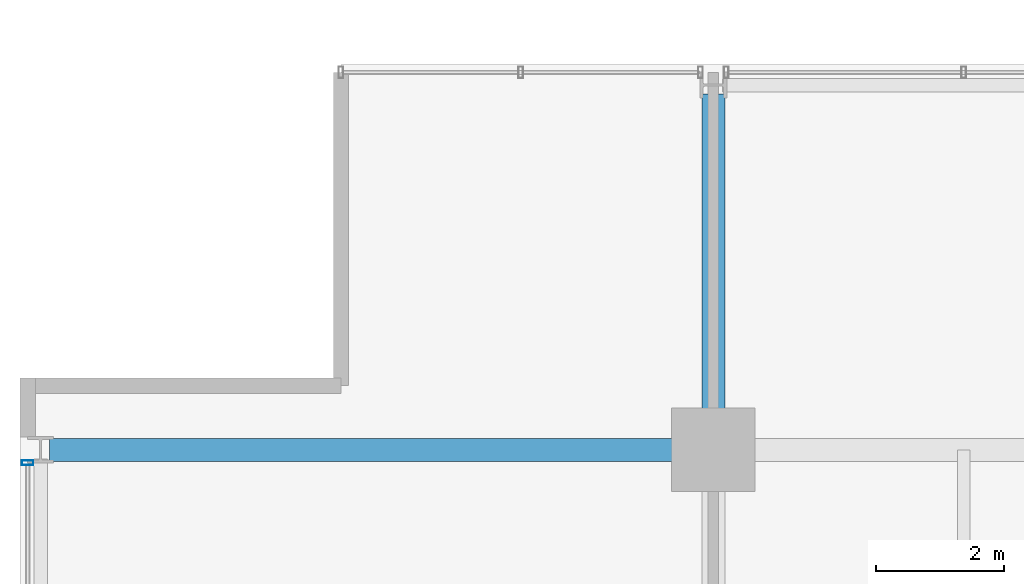
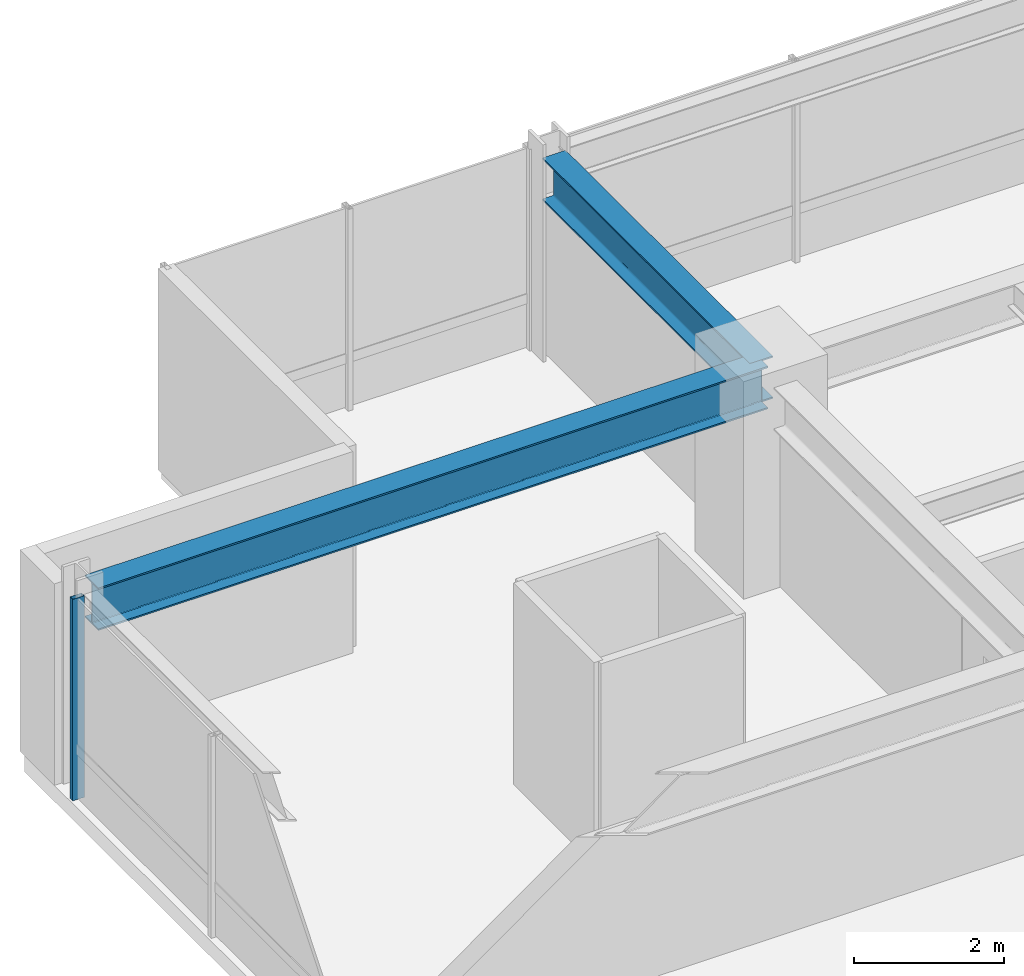
# One storey, part 19 of 33: 2 beams, 1 member, 1 element without a shape of its own.
"""IFC4 building model written with IfcOpenShell, lengths in metres."""

from ifc_helpers import new_model, si_unit, direction, frame, origin, origin_2d, place, context, subcontext, project, spatial, hollow_rectangle, i_section, extrude, material, layer, layer_set, material_profile, profile_set, type_object, element, aggregate, save


model = new_model("IFC4")

# Units and contexts
model_context = context("Model", 3, precision=1e-05, world=origin(), true_north=direction((0.0, 1.0)))
body_context = subcontext(model_context, "Body", "Model", "MODEL_VIEW")
ifc_project = project(units=[si_unit("LENGTHUNIT", "METRE"), si_unit("AREAUNIT", "SQUARE_METRE"), si_unit("VOLUMEUNIT", "CUBIC_METRE"), si_unit("PLANEANGLEUNIT", "RADIAN"), si_unit("MASSUNIT", "GRAM", prefix="KILO")], contexts=[model_context])

# Site, building, storey
site_placement = place(None, origin())
site = spatial("IfcSite", under=ifc_project, at=site_placement, CompositionType="ELEMENT")
building_placement = place(site_placement, origin())
building = spatial("IfcBuilding", under=site, at=building_placement, Name="Drelvath Grand Hotel", CompositionType="ELEMENT")
storey_placement = place(building_placement, frame((0.0, 0.0, 171.699951171875)))
storey = spatial("IfcBuildingStorey", under=building, at=storey_placement, Name="L44", CompositionType="ELEMENT", Elevation=171.699951171875)

# Curtain wall, member
ifc_material_1 = material(Name="Brushed Pale-Silver Anodised Aluminium Frame", Category="aluminium")
ifc_layer = layer(ifc_material_1, 0.199951171875)
ifc_layer_set = layer_set([ifc_layer], Name="Brushed Pale-Silver Anodised Aluminium Frame")
curtain_wall_type = type_object("IfcCurtainWallType", Name="Stick Curtain Wall CW-04 Brushed Silver Upper-Mid", PredefinedType="NOTDEFINED", material=ifc_layer_set)
curtain_wall_placement = place(storey_placement, origin())
curtain_wall = element("IfcCurtainWall", 1, at=curtain_wall_placement, inside=storey, type_object=curtain_wall_type, Name="L44 CW-04 Curtain Wall CW04-L44-WN2", PredefinedType="NOTDEFINED")
ifc_material_profile_1 = material_profile(ifc_material_1, hollow_rectangle(XDim=0.074951171875, YDim=0.179931640625, WallThickness=0.0048828125, at=origin_2d()), Name="HSS180X75X5")
ifc_profile_set_1 = profile_set([ifc_material_profile_1], Name="Brushed Pale-Silver Anodised Aluminium Frame")
member_type = type_object("IfcMemberType", Name="Curtain Wall Vertical Mullion CW-04 HSS180X75X5", PredefinedType="MULLION", material=ifc_profile_set_1)
member_placement = place(storey_placement, frame((-26.8798828125, 43.0, 0.0), z_axis=(0.0, 0.0, 1.0), x_axis=(0.0, 1.0, 0.0)))
member = element("IfcMember", 2, at=member_placement, type_object=member_type, Name="CW04-L44-WN2 Mullion 3", PredefinedType="MULLION", context=body_context, shape_type="SweptSolid", body=[
    extrude(hollow_rectangle(XDim=0.074951171875, YDim=0.179931640625, WallThickness=0.0048828125, at=origin_2d()), origin(), (0.0, 0.0, 1.0), 3.2900390625),
])
aggregate(curtain_wall, [member])

# Beams
ifc_material_2 = material(Name="Steel ASTM A992 Gr 50", Category="steel")
ifc_material_profile_2 = material_profile(ifc_material_2, i_section(OverallWidth=0.354736328125, OverallDepth=0.695556640625, WebThickness=0.015380859375, FlangeThickness=0.025146484375, FilletRadius=0.02392578125, at=origin_2d()), Name="W27X146")
ifc_profile_set_2 = profile_set([ifc_material_profile_2], Name="Steel ASTM A992 Gr 50")
beam_type = type_object("IfcBeamType", Name="Primary Floor Girder W27X146", PredefinedType="BEAM", material=ifc_profile_set_2)
beam_1_placement = place(storey_placement, frame((-26.5400390625, 43.199951171875, 2.9423828125), z_axis=(1.0, 0.0, 0.0), x_axis=(0.0, 1.0, 0.0)))
element("IfcBeam", 3, at=beam_1_placement, inside=storey, type_object=beam_type, Name="L44 West Grid Girder G", PredefinedType="BEAM", context=body_context, shape_type="SweptSolid", body=[
    extrude(i_section(OverallWidth=0.354736328125, OverallDepth=0.695556640625, WebThickness=0.015380859375, FlangeThickness=0.025146484375, FilletRadius=0.02392578125, at=origin_2d()), origin(), (0.0, 0.0, 1.0), 10.340087890625),
])
beam_2_placement = place(storey_placement, frame((-16.199951171875, 43.199951171875, 2.9423828125), z_axis=(0.0, 1.0, 0.0), x_axis=(-1.0, 0.0, 0.0)))
element("IfcBeam", 4, at=beam_2_placement, inside=storey, type_object=beam_type, Name="L44 North Grid Girder 3", PredefinedType="BEAM", context=body_context, shape_type="SweptSolid", body=[
    extrude(i_section(OverallWidth=0.354736328125, OverallDepth=0.695556640625, WebThickness=0.015380859375, FlangeThickness=0.025146484375, FilletRadius=0.02392578125, at=origin_2d()), origin(), (0.0, 0.0, 1.0), 5.5400390625),
])

save(model, "model.ifc")
